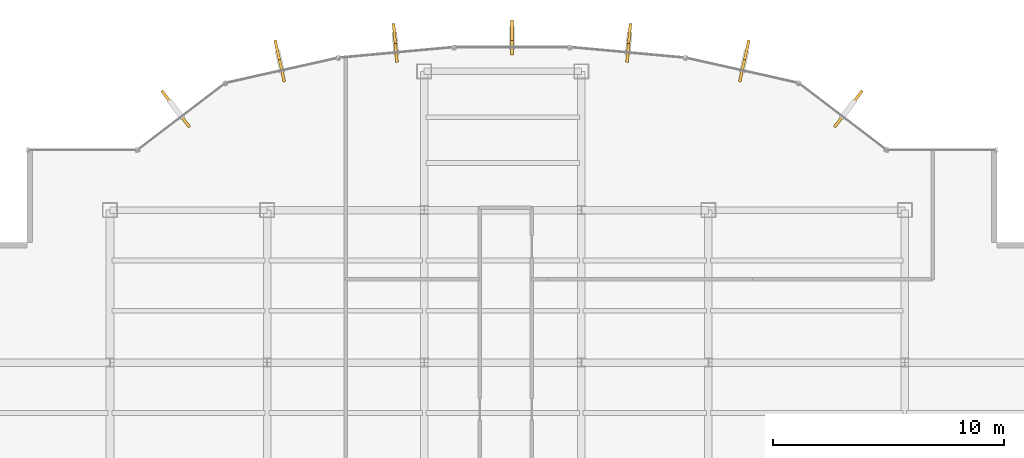
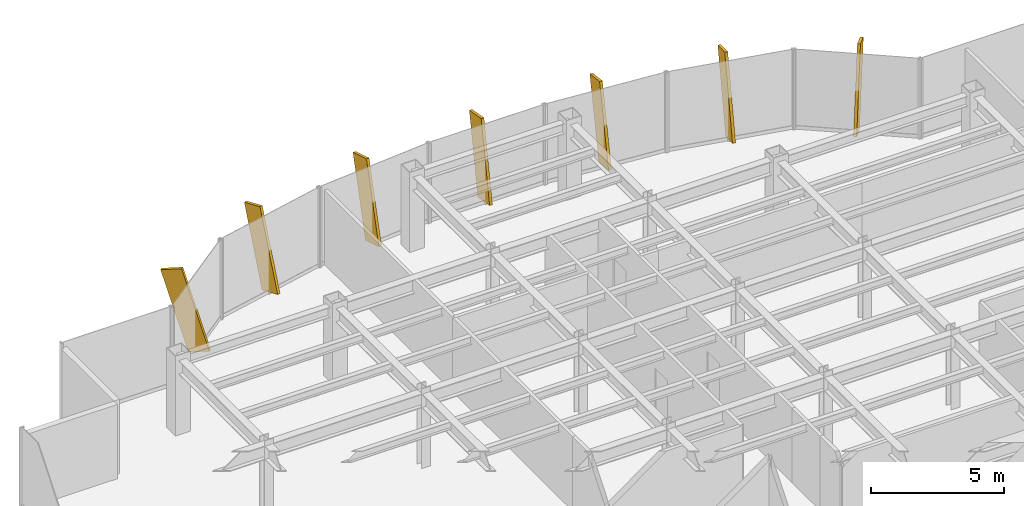
# One storey, part 24 of 25: 7 shading devices.
"""IFC4 building model written with IfcOpenShell, lengths in metres."""

from ifc_helpers import new_model, si_unit, derived_unit, direction, frame, origin, origin_2d, place, context, subcontext, project, spatial, rectangle, extrude, source, transform, mapped, material, type_object, element, save


model = new_model("IFC4")

# Units and contexts
model_context = context("Model", 3, precision=1e-05, world=origin(), true_north=direction((0.0, 1.0)))
body_context = subcontext(model_context, "Body", "Model", "MODEL_VIEW")
ifc_project = project(units=[si_unit("LENGTHUNIT", "METRE"), si_unit("AREAUNIT", "SQUARE_METRE"), si_unit("VOLUMEUNIT", "CUBIC_METRE"), si_unit("PLANEANGLEUNIT", "RADIAN"), si_unit("MASSUNIT", "GRAM", prefix="KILO"), derived_unit("THERMALTRANSMITTANCEUNIT", [(si_unit("POWERUNIT", "WATT"), 1), (si_unit("LENGTHUNIT", "METRE"), -2), (si_unit("THERMODYNAMICTEMPERATUREUNIT", "KELVIN"), -1)])], contexts=[model_context])

# Site, building, storey
site_placement = place(None, origin())
site = spatial("IfcSite", under=ifc_project, at=site_placement, CompositionType="ELEMENT")
building_placement = place(site_placement, origin())
building = spatial("IfcBuilding", under=site, at=building_placement, Name="Skarnbrae Concourse Arena and Tower", CompositionType="ELEMENT")
storey_placement = place(building_placement, frame((0.0, 0.0, 177.10009765625)))
storey = spatial("IfcBuildingStorey", under=building, at=storey_placement, Name="L45", CompositionType="ELEMENT", Elevation=177.10009765625)

# Shading devices
ifc_material = material(Name="Bronze anodised aluminium 6063-T6", Category="aluminium")
shading_device_type = type_object("IfcShadingDeviceType", Name="SHD-BRONZE-FIN-900", PredefinedType="USERDEFINED", material=ifc_material)
shared_shape = source(origin(), body_context, "Body", "SweptSolid", [
    extrude(rectangle(XDim=0.1201171875, YDim=0.89990234375, at=origin_2d()), origin(), (0.0, 0.0, 1.0), 3.64990234375),
])
for number, where, z_axis, x_axis, name in (
    (1, (39.21728515625, 38.331787109375, 0.08935546875), (0.187571567649, 0.245786538166, 0.95100256817), (0.794954941871, -0.606668476513, 0.0), "L45 Outward-leaning bronze shading fin 08"),
    (2, (34.945556640625, 40.371337890625, 0.067138671875), (0.05856682236, 0.262120346288, 0.963256378842), (0.975935794812, -0.218058075762, 0.0), "L45 Outward-leaning bronze shading fin 09"),
    (3, (30.013427734375, 41.231689453125, 0.04541015625), (0.020252937378, 0.220791747999, 0.975110671946), (0.99581928833, -0.091345196863, 0.0), "L45 Outward-leaning bronze shading fin 10"),
    (4, (25.0, 41.548583984375, 0.02783203125), (0.0, 0.173648177667, 0.984807753012), (1.0, 0.0, 0.0), "L45 Outward-leaning bronze shading fin 11"),
    (5, (19.986572265625, 41.231689453125, 0.04541015625), (-0.020252937378, 0.220791747999, 0.975110671946), (0.99581928833, 0.091345196863, 0.0), "L45 Outward-leaning bronze shading fin 12"),
    (6, (15.054443359375, 40.371337890625, 0.067138671875), (-0.05856682236, 0.262120346288, 0.963256378842), (0.975935794812, 0.218058075762, 0.0), "L45 Outward-leaning bronze shading fin 13"),
    (7, (10.78271484375, 38.331787109375, 0.08935546875), (-0.187571567649, 0.245786538166, 0.95100256817), (0.794954941871, 0.606668476513, 0.0), "L45 Outward-leaning bronze shading fin 14"),
):
    element("IfcShadingDevice", number, at=place(storey_placement, frame(where, z_axis=z_axis, x_axis=x_axis)), inside=storey, type_object=shading_device_type, Name=name, ObjectType="FIN", PredefinedType="USERDEFINED", context=body_context, shape_type="MappedRepresentation", body=[
        mapped(shared_shape, transform((0.0, 0.0, 0.0))),
    ])

save(model, "model.ifc")
